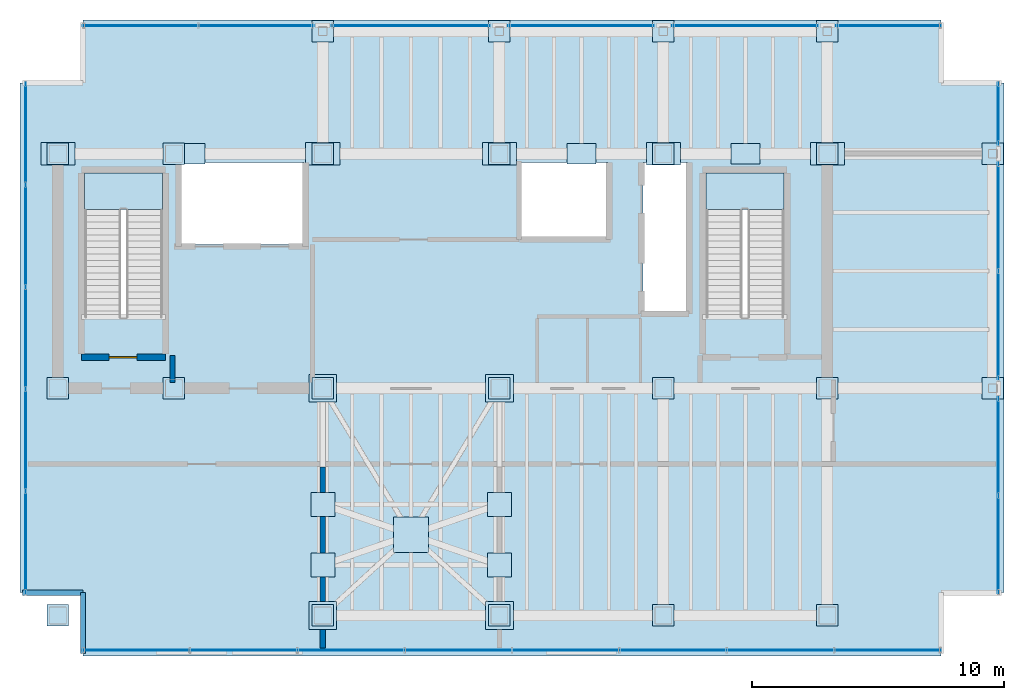
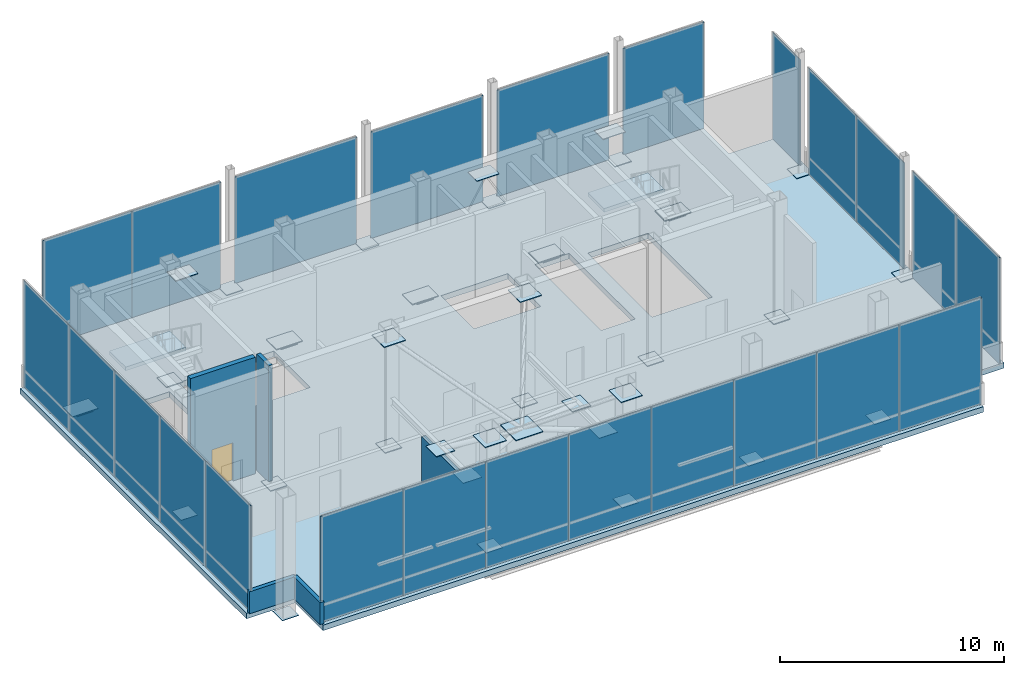
# One storey, part 16 of 19: 64 plates, 5 walls, 3 slabs, 1 door, 6 openings, 12 elements without a shape of their own.
"""IFC4 building model written with IfcOpenShell, lengths in metres."""

from ifc_helpers import new_model, si_unit, direction, frame, frame_2d, origin, origin_2d, place, context, subcontext, project, spatial, polyline, rectangle, outline, extrude, material, layer, layer_set, type_object, element, fill, aggregate, save


model = new_model("IFC4")

# Units and contexts
model_context = context("Model", 3, precision=1e-05, world=origin(), true_north=direction((0.0, 1.0)))
body_context = subcontext(model_context, "Body", "Model", "MODEL_VIEW")
ifc_project = project(units=[si_unit("LENGTHUNIT", "METRE"), si_unit("AREAUNIT", "SQUARE_METRE"), si_unit("VOLUMEUNIT", "CUBIC_METRE"), si_unit("PLANEANGLEUNIT", "RADIAN"), si_unit("MASSUNIT", "GRAM", prefix="KILO")], contexts=[model_context])

# Site, building, storey
site_placement = place(None, origin())
site = spatial("IfcSite", under=ifc_project, at=site_placement, CompositionType="ELEMENT")
building_placement = place(site_placement, origin())
building = spatial("IfcBuilding", under=site, at=building_placement, Name="Noeulbin Bourse Tower", CompositionType="ELEMENT")
storey_placement = place(building_placement, frame((0.0, 0.0, 306.0)))
storey = spatial("IfcBuildingStorey", under=building, at=storey_placement, Name="L76", CompositionType="ELEMENT", Elevation=306.0)

# Curtain wall, plates
ifc_material_1 = material(Name="Translucent Ceramic-Fritted Glass", Category="glass")
curtain_wall_type = type_object("IfcCurtainWallType", Name="CW-SYS-5", PredefinedType="NOTDEFINED", material=ifc_material_1)
curtain_wall_1_placement = place(storey_placement, origin())
curtain_wall_1 = element("IfcCurtainWall", 1, at=curtain_wall_1_placement, inside=storey, type_object=curtain_wall_type, Name="Unitised Curtain Wall CW-L76-S1", PredefinedType="NOTDEFINED")
ifc_layer_1 = layer(ifc_material_1, 0.035888671875)
ifc_layer_set_1 = layer_set([ifc_layer_1], Name="Translucent Ceramic-Fritted Glass")
plate_type_1 = type_object("IfcPlateType", Name="CW-SYS-5-PNL", PredefinedType="CURTAIN_PANEL", material=ifc_layer_set_1)
plate_1_placement = place(storey_placement, frame((16.607421875, 18.6201171875, 0.0), z_axis=(0.0, 0.0, 1.0), x_axis=(1.0, 0.0, 0.0)))
plate_1 = element("IfcPlate", 2, at=plate_1_placement, type_object=plate_type_1, Name="Glazed Curtain Panel CW-L76-S1-P00", PredefinedType="CURTAIN_PANEL", context=body_context, shape_type="SweptSolid", body=[
    extrude(rectangle(XDim=4.2548828125, YDim=0.035888671875, at=origin_2d()), origin(), (0.0, 0.0, 1.0), 5.800048828125),
])
plate_2_placement = place(storey_placement, frame((20.862548828125, 18.6201171875, 0.0), z_axis=(0.0, 0.0, 1.0), x_axis=(1.0, 0.0, 0.0)))
plate_2 = element("IfcPlate", 3, at=plate_2_placement, type_object=plate_type_1, Name="Glazed Curtain Panel CW-L76-S1-P01", PredefinedType="CURTAIN_PANEL", context=body_context, shape_type="SweptSolid", body=[
    extrude(rectangle(XDim=4.2548828125, YDim=0.035888671875, at=origin_2d()), origin(), (0.0, 0.0, 1.0), 5.800048828125),
])
plate_3_placement = place(storey_placement, frame((25.117431640625, 18.6201171875, 0.0), z_axis=(0.0, 0.0, 1.0), x_axis=(1.0, 0.0, 0.0)))
plate_3 = element("IfcPlate", 4, at=plate_3_placement, type_object=plate_type_1, Name="Glazed Curtain Panel CW-L76-S1-P02", PredefinedType="CURTAIN_PANEL", context=body_context, shape_type="SweptSolid", body=[
    extrude(rectangle(XDim=4.2548828125, YDim=0.035888671875, at=origin_2d()), origin(), (0.0, 0.0, 1.0), 5.800048828125),
])
plate_4_placement = place(storey_placement, frame((29.37255859375, 18.6201171875, 0.0), z_axis=(0.0, 0.0, 1.0), x_axis=(1.0, 0.0, 0.0)))
plate_4 = element("IfcPlate", 5, at=plate_4_placement, type_object=plate_type_1, Name="Glazed Curtain Panel CW-L76-S1-P03", PredefinedType="CURTAIN_PANEL", context=body_context, shape_type="SweptSolid", body=[
    extrude(rectangle(XDim=4.2548828125, YDim=0.035888671875, at=origin_2d()), origin(), (0.0, 0.0, 1.0), 5.800048828125),
])
plate_5_placement = place(storey_placement, frame((33.62744140625, 18.6201171875, 0.0), z_axis=(0.0, 0.0, 1.0), x_axis=(1.0, 0.0, 0.0)))
plate_5 = element("IfcPlate", 6, at=plate_5_placement, type_object=plate_type_1, Name="Glazed Curtain Panel CW-L76-S1-P04", PredefinedType="CURTAIN_PANEL", context=body_context, shape_type="SweptSolid", body=[
    extrude(rectangle(XDim=4.2548828125, YDim=0.035888671875, at=origin_2d()), origin(), (0.0, 0.0, 1.0), 5.800048828125),
])
plate_6_placement = place(storey_placement, frame((37.882568359375, 18.6201171875, 0.0), z_axis=(0.0, 0.0, 1.0), x_axis=(1.0, 0.0, 0.0)))
plate_6 = element("IfcPlate", 7, at=plate_6_placement, type_object=plate_type_1, Name="Glazed Curtain Panel CW-L76-S1-P05", PredefinedType="CURTAIN_PANEL", context=body_context, shape_type="SweptSolid", body=[
    extrude(rectangle(XDim=4.2548828125, YDim=0.035888671875, at=origin_2d()), origin(), (0.0, 0.0, 1.0), 5.800048828125),
])
plate_7_placement = place(storey_placement, frame((42.137451171875, 18.6201171875, 0.0), z_axis=(0.0, 0.0, 1.0), x_axis=(1.0, 0.0, 0.0)))
plate_7 = element("IfcPlate", 8, at=plate_7_placement, type_object=plate_type_1, Name="Glazed Curtain Panel CW-L76-S1-P06", PredefinedType="CURTAIN_PANEL", context=body_context, shape_type="SweptSolid", body=[
    extrude(rectangle(XDim=4.2548828125, YDim=0.035888671875, at=origin_2d()), origin(), (0.0, 0.0, 1.0), 5.800048828125),
])
plate_8_placement = place(storey_placement, frame((46.392578125, 18.6201171875, 0.0), z_axis=(0.0, 0.0, 1.0), x_axis=(1.0, 0.0, 0.0)))
plate_8 = element("IfcPlate", 9, at=plate_8_placement, type_object=plate_type_1, Name="Glazed Curtain Panel CW-L76-S1-P07", PredefinedType="CURTAIN_PANEL", context=body_context, shape_type="SweptSolid", body=[
    extrude(rectangle(XDim=4.2548828125, YDim=0.035888671875, at=origin_2d()), origin(), (0.0, 0.0, 1.0), 5.800048828125),
])
aggregate(curtain_wall_1, [plate_1, plate_2, plate_3, plate_4, plate_5, plate_6, plate_7, plate_8])

curtain_wall_2_placement = place(storey_placement, origin())
curtain_wall_2 = element("IfcCurtainWall", 10, at=curtain_wall_2_placement, inside=storey, type_object=curtain_wall_type, Name="Unitised Curtain Wall CW-L76-N-S1", PredefinedType="NOTDEFINED")
plate_9_placement = place(storey_placement, frame((16.77001953125, 43.3798828125, 0.0), z_axis=(0.0, 0.0, 1.0), x_axis=(1.0, 0.0, 0.0)))
plate_9 = element("IfcPlate", 11, at=plate_9_placement, type_object=plate_type_1, Name="Glazed Curtain Panel CW-L76-N-S1-P00", PredefinedType="CURTAIN_PANEL", context=body_context, shape_type="SweptSolid", body=[
    extrude(rectangle(XDim=4.580078125, YDim=0.035888671875, at=origin_2d()), origin(), (0.0, 0.0, 1.0), 5.800048828125),
])
plate_10_placement = place(storey_placement, frame((21.35009765625, 43.3798828125, 0.0), z_axis=(0.0, 0.0, 1.0), x_axis=(1.0, 0.0, 0.0)))
plate_10 = element("IfcPlate", 12, at=plate_10_placement, type_object=plate_type_1, Name="Glazed Curtain Panel CW-L76-N-S1-P01", PredefinedType="CURTAIN_PANEL", context=body_context, shape_type="SweptSolid", body=[
    extrude(rectangle(XDim=4.580078125, YDim=0.035888671875, at=origin_2d()), origin(), (0.0, 0.0, 1.0), 5.800048828125),
])
aggregate(curtain_wall_2, [plate_9, plate_10])

# Curtain wall, plate
curtain_wall_3_placement = place(storey_placement, origin())
curtain_wall_3 = element("IfcCurtainWall", 13, at=curtain_wall_3_placement, inside=storey, type_object=curtain_wall_type, Name="Unitised Curtain Wall CW-L76-N-S2", PredefinedType="NOTDEFINED")
plate_11_placement = place(storey_placement, frame((27.5, 43.3798828125, 0.0), z_axis=(0.0, 0.0, 1.0), x_axis=(1.0, 0.0, 0.0)))
plate_11 = element("IfcPlate", 14, at=plate_11_placement, type_object=plate_type_1, Name="Glazed Curtain Panel CW-L76-N-S2-P00", PredefinedType="CURTAIN_PANEL", context=body_context, shape_type="SweptSolid", body=[
    extrude(rectangle(XDim=6.280029296875, YDim=0.035888671875, at=origin_2d()), origin(), (0.0, 0.0, 1.0), 5.800048828125),
])
aggregate(curtain_wall_3, [plate_11])

curtain_wall_4_placement = place(storey_placement, origin())
curtain_wall_4 = element("IfcCurtainWall", 15, at=curtain_wall_4_placement, inside=storey, type_object=curtain_wall_type, Name="Unitised Curtain Wall CW-L76-N-S3", PredefinedType="NOTDEFINED")
plate_12_placement = place(storey_placement, frame((34.25, 43.3798828125, 0.0), z_axis=(0.0, 0.0, 1.0), x_axis=(1.0, 0.0, 0.0)))
plate_12 = element("IfcPlate", 16, at=plate_12_placement, type_object=plate_type_1, Name="Glazed Curtain Panel CW-L76-N-S3-P00", PredefinedType="CURTAIN_PANEL", context=body_context, shape_type="SweptSolid", body=[
    extrude(rectangle(XDim=5.780029296875, YDim=0.035888671875, at=origin_2d()), origin(), (0.0, 0.0, 1.0), 5.800048828125),
])
aggregate(curtain_wall_4, [plate_12])

curtain_wall_5_placement = place(storey_placement, origin())
curtain_wall_5 = element("IfcCurtainWall", 17, at=curtain_wall_5_placement, inside=storey, type_object=curtain_wall_type, Name="Unitised Curtain Wall CW-L76-N-S4", PredefinedType="NOTDEFINED")
plate_13_placement = place(storey_placement, frame((40.75, 43.3798828125, 0.0), z_axis=(0.0, 0.0, 1.0), x_axis=(1.0, 0.0, 0.0)))
plate_13 = element("IfcPlate", 18, at=plate_13_placement, type_object=plate_type_1, Name="Glazed Curtain Panel CW-L76-N-S4-P00", PredefinedType="CURTAIN_PANEL", context=body_context, shape_type="SweptSolid", body=[
    extrude(rectangle(XDim=5.780029296875, YDim=0.035888671875, at=origin_2d()), origin(), (0.0, 0.0, 1.0), 5.800048828125),
])
aggregate(curtain_wall_5, [plate_13])

curtain_wall_6_placement = place(storey_placement, origin())
curtain_wall_6 = element("IfcCurtainWall", 19, at=curtain_wall_6_placement, inside=storey, type_object=curtain_wall_type, Name="Unitised Curtain Wall CW-L76-N-S5", PredefinedType="NOTDEFINED")
plate_14_placement = place(storey_placement, frame((46.43994140625, 43.3798828125, 0.0), z_axis=(0.0, 0.0, 1.0), x_axis=(1.0, 0.0, 0.0)))
plate_14 = element("IfcPlate", 20, at=plate_14_placement, type_object=plate_type_1, Name="Glazed Curtain Panel CW-L76-N-S5-P00", PredefinedType="CURTAIN_PANEL", context=body_context, shape_type="SweptSolid", body=[
    extrude(rectangle(XDim=4.159912109375, YDim=0.035888671875, at=origin_2d()), origin(), (0.0, 0.0, 1.0), 5.800048828125),
])
aggregate(curtain_wall_6, [plate_14])

# Curtain wall, plates
curtain_wall_7_placement = place(storey_placement, origin())
curtain_wall_7 = element("IfcCurtainWall", 21, at=curtain_wall_7_placement, inside=storey, type_object=curtain_wall_type, Name="Unitised Curtain Wall CW-L76-W", PredefinedType="NOTDEFINED")
plate_15_placement = place(storey_placement, frame((12.219970703125, 22.904052734375, 0.0), z_axis=(0.0, 0.0, 1.0), x_axis=(0.0, 1.0, 0.0)))
plate_15 = element("IfcPlate", 22, at=plate_15_placement, type_object=plate_type_1, Name="Glazed Curtain Panel CW-L76-W-P00", PredefinedType="CURTAIN_PANEL", context=body_context, shape_type="SweptSolid", body=[
    extrude(rectangle(XDim=4.048095703125, YDim=0.035888671875, at=origin_2d()), origin(), (0.0, 0.0, 1.0), 5.800048828125),
])
plate_16_placement = place(storey_placement, frame((12.219970703125, 26.951904296875, 0.0), z_axis=(0.0, 0.0, 1.0), x_axis=(0.0, 1.0, 0.0)))
plate_16 = element("IfcPlate", 23, at=plate_16_placement, type_object=plate_type_1, Name="Glazed Curtain Panel CW-L76-W-P01", PredefinedType="CURTAIN_PANEL", context=body_context, shape_type="SweptSolid", body=[
    extrude(rectangle(XDim=4.048095703125, YDim=0.035888671875, at=origin_2d()), origin(), (0.0, 0.0, 1.0), 5.800048828125),
])
plate_17_placement = place(storey_placement, frame((12.219970703125, 31.0, 0.0), z_axis=(0.0, 0.0, 1.0), x_axis=(0.0, 1.0, 0.0)))
plate_17 = element("IfcPlate", 24, at=plate_17_placement, type_object=plate_type_1, Name="Glazed Curtain Panel CW-L76-W-P02", PredefinedType="CURTAIN_PANEL", context=body_context, shape_type="SweptSolid", body=[
    extrude(rectangle(XDim=4.048095703125, YDim=0.035888671875, at=origin_2d()), origin(), (0.0, 0.0, 1.0), 5.800048828125),
])
plate_18_placement = place(storey_placement, frame((12.219970703125, 35.048095703125, 0.0), z_axis=(0.0, 0.0, 1.0), x_axis=(0.0, 1.0, 0.0)))
plate_18 = element("IfcPlate", 25, at=plate_18_placement, type_object=plate_type_1, Name="Glazed Curtain Panel CW-L76-W-P03", PredefinedType="CURTAIN_PANEL", context=body_context, shape_type="SweptSolid", body=[
    extrude(rectangle(XDim=4.048095703125, YDim=0.035888671875, at=origin_2d()), origin(), (0.0, 0.0, 1.0), 5.800048828125),
])
plate_19_placement = place(storey_placement, frame((12.219970703125, 39.095947265625, 0.0), z_axis=(0.0, 0.0, 1.0), x_axis=(0.0, 1.0, 0.0)))
plate_19 = element("IfcPlate", 26, at=plate_19_placement, type_object=plate_type_1, Name="Glazed Curtain Panel CW-L76-W-P04", PredefinedType="CURTAIN_PANEL", context=body_context, shape_type="SweptSolid", body=[
    extrude(rectangle(XDim=4.048095703125, YDim=0.035888671875, at=origin_2d()), origin(), (0.0, 0.0, 1.0), 5.800048828125),
])
aggregate(curtain_wall_7, [plate_15, plate_16, plate_17, plate_18, plate_19])

curtain_wall_8_placement = place(storey_placement, origin())
curtain_wall_8 = element("IfcCurtainWall", 27, at=curtain_wall_8_placement, inside=storey, type_object=curtain_wall_type, Name="Unitised Curtain Wall CW-L76-E-S1", PredefinedType="NOTDEFINED")
plate_20_placement = place(storey_placement, frame((50.780029296875, 22.820068359375, 0.0), z_axis=(0.0, 0.0, 1.0), x_axis=(0.0, 1.0, 0.0)))
plate_20 = element("IfcPlate", 28, at=plate_20_placement, type_object=plate_type_1, Name="Glazed Curtain Panel CW-L76-E-S1-P00", PredefinedType="CURTAIN_PANEL", context=body_context, shape_type="SweptSolid", body=[
    extrude(rectangle(XDim=3.8798828125, YDim=0.035888671875, at=origin_2d()), origin(), (0.0, 0.0, 1.0), 5.800048828125),
])
plate_21_placement = place(storey_placement, frame((50.780029296875, 26.699951171875, 0.0), z_axis=(0.0, 0.0, 1.0), x_axis=(0.0, 1.0, 0.0)))
plate_21 = element("IfcPlate", 29, at=plate_21_placement, type_object=plate_type_1, Name="Glazed Curtain Panel CW-L76-E-S1-P01", PredefinedType="CURTAIN_PANEL", context=body_context, shape_type="SweptSolid", body=[
    extrude(rectangle(XDim=3.8798828125, YDim=0.035888671875, at=origin_2d()), origin(), (0.0, 0.0, 1.0), 5.800048828125),
])
aggregate(curtain_wall_8, [plate_20, plate_21])

curtain_wall_9_placement = place(storey_placement, origin())
curtain_wall_9 = element("IfcCurtainWall", 30, at=curtain_wall_9_placement, inside=storey, type_object=curtain_wall_type, Name="Unitised Curtain Wall CW-L76-E-S2", PredefinedType="NOTDEFINED")
plate_22_placement = place(storey_placement, frame((50.780029296875, 31.5048828125, 0.0), z_axis=(0.0, 0.0, 1.0), x_axis=(0.0, 1.0, 0.0)))
plate_22 = element("IfcPlate", 31, at=plate_22_placement, type_object=plate_type_1, Name="Glazed Curtain Panel CW-L76-E-S2-P00", PredefinedType="CURTAIN_PANEL", context=body_context, shape_type="SweptSolid", body=[
    extrude(rectangle(XDim=4.2900390625, YDim=0.035888671875, at=origin_2d()), origin(), (0.0, 0.0, 1.0), 5.800048828125),
])
plate_23_placement = place(storey_placement, frame((50.780029296875, 35.794921875, 0.0), z_axis=(0.0, 0.0, 1.0), x_axis=(0.0, 1.0, 0.0)))
plate_23 = element("IfcPlate", 32, at=plate_23_placement, type_object=plate_type_1, Name="Glazed Curtain Panel CW-L76-E-S2-P01", PredefinedType="CURTAIN_PANEL", context=body_context, shape_type="SweptSolid", body=[
    extrude(rectangle(XDim=4.2900390625, YDim=0.035888671875, at=origin_2d()), origin(), (0.0, 0.0, 1.0), 5.800048828125),
])
aggregate(curtain_wall_9, [plate_22, plate_23])

# Curtain wall, plate
curtain_wall_10_placement = place(storey_placement, origin())
curtain_wall_10 = element("IfcCurtainWall", 33, at=curtain_wall_10_placement, inside=storey, type_object=curtain_wall_type, Name="Unitised Curtain Wall CW-L76-E-S3", PredefinedType="NOTDEFINED")
plate_24_placement = place(storey_placement, frame((50.780029296875, 39.889892578125, 0.0), z_axis=(0.0, 0.0, 1.0), x_axis=(0.0, 1.0, 0.0)))
plate_24 = element("IfcPlate", 34, at=plate_24_placement, type_object=plate_type_1, Name="Glazed Curtain Panel CW-L76-E-S3-P00", PredefinedType="CURTAIN_PANEL", context=body_context, shape_type="SweptSolid", body=[
    extrude(rectangle(XDim=2.4599609375, YDim=0.035888671875, at=origin_2d()), origin(), (0.0, 0.0, 1.0), 5.800048828125),
])
aggregate(curtain_wall_10, [plate_24])

# Plates
ifc_material_2 = material(Name="Steel S355", Category="steel")
ifc_layer_2 = layer(ifc_material_2, 0.030029296875)
ifc_layer_set_2 = layer_set([ifc_layer_2], Name="Steel S355")
plate_type_2 = type_object("IfcPlateType", Name="PLT-BN1", PredefinedType="USERDEFINED", material=ifc_layer_set_2)
for number, where, z_axis, x_axis, name in (
    (35, (13.5, 29.0, 0.0048828125), (0.0, 0.0, 1.0), (1.0, 0.0, 0.0), "Mega-Column Splice Plate BN1-L76-01"),
    (36, (13.5, 38.300048828125, 0.0048828125), (0.0, 0.0, 1.0), (1.0, 0.0, 0.0), "Mega-Column Splice Plate BN1-L76-02"),
    (37, (18.10009765625, 29.0, 0.0048828125), (0.0, 0.0, 1.0), (1.0, 0.0, 0.0), "Mega-Column Splice Plate BN1-L76-03"),
    (38, (18.10009765625, 38.300048828125, 0.0048828125), (0.0, 0.0, 1.0), (1.0, 0.0, 0.0), "Mega-Column Splice Plate BN1-L76-04"),
    (39, (24.0, 29.0, 0.0048828125), (0.0, 0.0, 1.0), (1.0, 0.0, 0.0), "Mega-Column Splice Plate BN1-L76-05"),
    (40, (24.0, 38.300048828125, 0.0048828125), (0.0, 0.0, 1.0), (1.0, 0.0, 0.0), "Mega-Column Splice Plate BN1-L76-06"),
    (41, (31.0, 29.0, 0.0048828125), (0.0, 0.0, 1.0), (1.0, 0.0, 0.0), "Mega-Column Splice Plate BN1-L76-07"),
    (42, (31.0, 38.300048828125, 0.0048828125), (0.0, 0.0, 1.0), (1.0, 0.0, 0.0), "Mega-Column Splice Plate BN1-L76-08"),
    (43, (37.5, 29.0, 0.0048828125), (0.0, 0.0, 1.0), (1.0, 0.0, 0.0), "Mega-Column Splice Plate BN1-L76-09"),
    (44, (37.5, 38.300048828125, 0.0048828125), (0.0, 0.0, 1.0), (1.0, 0.0, 0.0), "Mega-Column Splice Plate BN1-L76-10"),
    (45, (44.0, 29.0, 0.0048828125), (0.0, 0.0, 1.0), (1.0, 0.0, 0.0), "Mega-Column Splice Plate BN1-L76-11"),
    (46, (44.0, 38.300048828125, 0.0048828125), (0.0, 0.0, 1.0), (1.0, 0.0, 0.0), "Mega-Column Splice Plate BN1-L76-12"),
    (47, (13.5, 20.0, 0.0048828125), (0.0, 0.0, 1.0), (1.0, 0.0, 0.0), "Mega-Column Splice Plate BN1-L76-13"),
    (48, (24.0, 20.0, 0.0048828125), (0.0, 0.0, 1.0), (1.0, 0.0, 0.0), "Mega-Column Splice Plate BN1-L76-14"),
    (49, (31.0, 20.0, 0.0048828125), (0.0, 0.0, 1.0), (1.0, 0.0, 0.0), "Mega-Column Splice Plate BN1-L76-15"),
    (50, (37.5, 20.0, 0.0048828125), (0.0, 0.0, 1.0), (1.0, 0.0, 0.0), "Mega-Column Splice Plate BN1-L76-16"),
    (51, (44.0, 20.0, 0.0048828125), (0.0, 0.0, 1.0), (1.0, 0.0, 0.0), "Mega-Column Splice Plate BN1-L76-17"),
    (52, (24.0, 43.14990234375, 0.0048828125), (0.0, 0.0, 1.0), (1.0, 0.0, 0.0), "Perimeter Column Splice Plate BN1-L76-01"),
    (53, (31.0, 43.14990234375, 0.0048828125), (0.0, 0.0, 1.0), (1.0, 0.0, 0.0), "Perimeter Column Splice Plate BN1-L76-02"),
    (54, (37.5, 43.14990234375, 0.0048828125), (0.0, 0.0, 1.0), (1.0, 0.0, 0.0), "Perimeter Column Splice Plate BN1-L76-03"),
    (55, (44.0, 43.14990234375, 0.0048828125), (0.0, 0.0, 1.0), (1.0, 0.0, 0.0), "Perimeter Column Splice Plate BN1-L76-04"),
    (56, (50.550048828125, 29.0, 0.0048828125), (0.0, 0.0, 1.0), (1.0, 0.0, 0.0), "Perimeter Column Splice Plate BN1-L76-05"),
    (57, (50.550048828125, 38.300048828125, 0.0048828125), (0.0, 0.0, 1.0), (1.0, 0.0, 0.0), "Perimeter Column Splice Plate BN1-L76-06"),
):
    element("IfcPlate", number, at=place(storey_placement, frame(where, z_axis=z_axis, x_axis=x_axis)), inside=storey, type_object=plate_type_2, Name=name, ObjectType="SPLICE PLATE", PredefinedType="USERDEFINED", context=body_context, shape_type="SweptSolid", body=[
        extrude(rectangle(XDim=0.85009765625, YDim=0.85009765625, at=origin_2d()), origin(), (0.0, 0.0, 1.0), 0.030029296875),
    ])
ifc_material_3 = material(Name="Steel S460", Category="steel")
ifc_layer_3 = layer(ifc_material_3, 0.035888671875)
ifc_layer_set_3 = layer_set([ifc_layer_3], Name="Steel S460")
plate_type_3 = type_object("IfcPlateType", Name="PLT-KN2", PredefinedType="USERDEFINED", material=ifc_layer_set_3)
for number, where, z_axis, x_axis, name in (
    (58, (24.0, 20.0, 5.8720703125), (0.0, 0.0, 1.0), (1.0, 0.0, 0.0), "TMD Hanger Upper Gusset Plate KN2-TH1"),
    (59, (31.0, 20.0, 5.8720703125), (0.0, 0.0, 1.0), (1.0, 0.0, 0.0), "TMD Hanger Upper Gusset Plate KN2-TH2"),
    (60, (24.0, 29.0, 5.8720703125), (0.0, 0.0, 1.0), (1.0, 0.0, 0.0), "TMD Hanger Upper Gusset Plate KN2-TH3"),
    (61, (31.0, 29.0, 5.8720703125), (0.0, 0.0, 1.0), (1.0, 0.0, 0.0), "TMD Hanger Upper Gusset Plate KN2-TH4"),
):
    element("IfcPlate", number, at=place(storey_placement, frame(where, z_axis=z_axis, x_axis=x_axis)), inside=storey, type_object=plate_type_3, Name=name, ObjectType="GUSSET PLATE", PredefinedType="USERDEFINED", context=body_context, shape_type="SweptSolid", body=[
        extrude(rectangle(XDim=1.10009765625, YDim=1.10009765625, at=origin_2d()), origin(), (0.0, 0.0, 1.0), 0.035888671875),
    ])
ifc_layer_4 = layer(ifc_material_2, 0.031982421875)
ifc_layer_set_4 = layer_set([ifc_layer_4], Name="Steel S355")
plate_type_4 = type_object("IfcPlateType", Name="PLT-KN3", PredefinedType="USERDEFINED", material=ifc_layer_set_4)
for number, where, z_axis, x_axis, name in (
    (62, (24.0, 22.0, 2.6337890625), (0.0, 0.0, 1.0), (1.0, 0.0, 0.0), "TMD Snubber Ring End Plate KN3-TS1"),
    (63, (31.0, 22.0, 2.6337890625), (0.0, 0.0, 1.0), (1.0, 0.0, 0.0), "TMD Snubber Ring End Plate KN3-TS2"),
    (64, (24.0, 24.39990234375, 2.6337890625), (0.0, 0.0, 1.0), (1.0, 0.0, 0.0), "TMD Snubber Ring End Plate KN3-TS3"),
    (65, (31.0, 24.39990234375, 2.6337890625), (0.0, 0.0, 1.0), (1.0, 0.0, 0.0), "TMD Snubber Ring End Plate KN3-TS4"),
):
    element("IfcPlate", number, at=place(storey_placement, frame(where, z_axis=z_axis, x_axis=x_axis)), inside=storey, type_object=plate_type_4, Name=name, ObjectType="END PLATE", PredefinedType="USERDEFINED", context=body_context, shape_type="SweptSolid", body=[
        extrude(rectangle(XDim=0.949951171875, YDim=0.949951171875, at=origin_2d()), origin(), (0.0, 0.0, 1.0), 0.031982421875),
    ])
ifc_layer_5 = layer(ifc_material_3, 0.0400390625)
ifc_layer_set_5 = layer_set([ifc_layer_5], Name="Steel S460")
plate_type_5 = type_object("IfcPlateType", Name="PLT-ON1", PredefinedType="USERDEFINED", material=ifc_layer_set_5)
for number, where, z_axis, x_axis, name in (
    (66, (13.5, 38.300048828125, 0.090087890625), (0.0, 0.0, 1.0), (1.0, 0.0, 0.0), "Outrigger West Gusset Plate ON1-L76-1A"),
    (67, (24.0, 38.300048828125, 0.090087890625), (0.0, 0.0, 1.0), (1.0, 0.0, 0.0), "Outrigger East Gusset Plate ON1-L76-1B"),
    (68, (31.0, 38.300048828125, 0.090087890625), (0.0, 0.0, 1.0), (1.0, 0.0, 0.0), "Outrigger West Gusset Plate ON1-L76-2A"),
    (69, (37.5, 38.300048828125, 0.090087890625), (0.0, 0.0, 1.0), (1.0, 0.0, 0.0), "Outrigger East Gusset Plate ON1-L76-2B"),
    (70, (44.0, 38.300048828125, 0.090087890625), (0.0, 0.0, 1.0), (1.0, 0.0, 0.0), "Outrigger East Gusset Plate ON1-L76-3B"),
):
    element("IfcPlate", number, at=place(storey_placement, frame(where, z_axis=z_axis, x_axis=x_axis)), inside=storey, type_object=plate_type_5, Name=name, ObjectType="GUSSET PLATE", PredefinedType="USERDEFINED", context=body_context, shape_type="SweptSolid", body=[
        extrude(rectangle(XDim=1.35009765625, YDim=0.89990234375, at=origin_2d()), origin(), (0.0, 0.0, 1.0), 0.0400390625),
    ])
ifc_layer_6 = layer(ifc_material_3, 0.035888671875)
ifc_layer_set_6 = layer_set([ifc_layer_6], Name="Steel S460")
plate_type_6 = type_object("IfcPlateType", Name="PLT-ON2", PredefinedType="USERDEFINED", material=ifc_layer_set_6)
for number, where, z_axis, x_axis, name in (
    (71, (18.75, 38.300048828125, 5.60205078125), (0.0, 0.0, 1.0), (1.0, 0.0, 0.0), "Outrigger Apex Gusset Plate ON2-L76-1"),
    (72, (34.25, 38.300048828125, 5.60205078125), (0.0, 0.0, 1.0), (1.0, 0.0, 0.0), "Outrigger Apex Gusset Plate ON2-L76-2"),
    (73, (40.75, 38.300048828125, 5.60205078125), (0.0, 0.0, 1.0), (1.0, 0.0, 0.0), "Outrigger Apex Gusset Plate ON2-L76-3"),
):
    element("IfcPlate", number, at=place(storey_placement, frame(where, z_axis=z_axis, x_axis=x_axis)), inside=storey, type_object=plate_type_6, Name=name, ObjectType="GUSSET PLATE", PredefinedType="USERDEFINED", context=body_context, shape_type="SweptSolid", body=[
        extrude(rectangle(XDim=1.14990234375, YDim=0.800048828125, at=origin_2d()), origin(), (0.0, 0.0, 1.0), 0.035888671875),
    ])
ifc_layer_7 = layer(ifc_material_3, 0.0400390625)
ifc_layer_set_7 = layer_set([ifc_layer_7], Name="Steel S460")
plate_type_7 = type_object("IfcPlateType", Name="PLT-TN1", PredefinedType="USERDEFINED", material=ifc_layer_set_7)
plate_25_placement = place(storey_placement, frame((27.5, 23.199951171875, 3.22998046875), z_axis=(0.0, 0.0, 1.0), x_axis=(1.0, 0.0, 0.0)))
element("IfcPlate", 74, at=plate_25_placement, inside=storey, type_object=plate_type_7, Name="Tuned Mass Damper Pendulum Hub Plate TN1-TMD", ObjectType="BASE PLATE", PredefinedType="USERDEFINED", context=body_context, shape_type="SweptSolid", body=[
    extrude(rectangle(XDim=1.39990234375, YDim=1.39990234375, at=origin_2d()), origin(), (0.0, 0.0, 1.0), 0.0400390625),
])

# Stair, slab
ifc_material_4 = material(Name="Concrete C40/50", Category="concrete")
stair_type = type_object("IfcStairType", Name="STR-CORE-1560", PredefinedType="HALF_TURN_STAIR", material=ifc_material_4)
stair_1_placement = place(storey_placement, origin())
stair_1 = element("IfcStair", 75, at=stair_1_placement, inside=storey, type_object=stair_type, Name="L76 ST-1", PredefinedType="HALF_TURN_STAIR")
ifc_layer_8 = layer(ifc_material_4, 0.199951171875)
ifc_layer_set_8 = layer_set([ifc_layer_8], Name="Concrete C40/50")
slab_type_1 = type_object("IfcSlabType", Name="SLB-LND-200", PredefinedType="LANDING", material=ifc_layer_set_8)
slab_1_placement = place(storey_placement, frame((0.0, 0.0, 3.10009765625)))
slab_1 = element("IfcSlab", 76, at=slab_1_placement, type_object=slab_type_1, Name="ST-1 landing 1", PredefinedType="LANDING", context=body_context, shape_type="SweptSolid", body=[
    extrude(outline(polyline([(17.64990234375, 36.093994140625), (17.64990234375, 37.5439453125), (14.550048828125, 37.5439453125), (14.550048828125, 36.093994140625), (17.64990234375, 36.093994140625)])), origin(), (0.0, 0.0, 1.0), 0.199951171875),
])
aggregate(stair_1, [slab_1])

stair_2_placement = place(storey_placement, origin())
stair_2 = element("IfcStair", 77, at=stair_2_placement, inside=storey, type_object=stair_type, Name="L76 ST-2", PredefinedType="HALF_TURN_STAIR")
slab_2_placement = place(storey_placement, frame((0.0, 0.0, 3.10009765625)))
slab_2 = element("IfcSlab", 78, at=slab_2_placement, type_object=slab_type_1, Name="ST-2 landing 1", PredefinedType="LANDING", context=body_context, shape_type="SweptSolid", body=[
    extrude(outline(polyline([(42.280029296875, 36.093994140625), (42.280029296875, 37.5439453125), (39.179931640625, 37.5439453125), (39.179931640625, 36.093994140625), (42.280029296875, 36.093994140625)])), origin(), (0.0, 0.0, 1.0), 0.199951171875),
])
aggregate(stair_2, [slab_2])

# Slab, openings
ifc_material_5 = material(Name="Concrete C50/60", Category="concrete")
ifc_layer_9 = layer(ifc_material_5, 0.300048828125)
ifc_layer_set_9 = layer_set([ifc_layer_9], Name="Concrete C50/60")
slab_type_2 = type_object("IfcSlabType", Name="SLB-OUT-300", PredefinedType="FLOOR", material=ifc_layer_set_9)
slab_3_placement = place(storey_placement, frame((0.0, 0.0, -0.300048828125)))
slab_3 = element("IfcSlab", 79, at=slab_3_placement, inside=storey, type_object=slab_type_2, Name="Tower Structural Floor Slab L76", PredefinedType="FLOOR", context=body_context, shape_type="SweptSolid", body=[
    extrude(outline(polyline([(14.5, 18.39990234375), (48.5, 18.39990234375), (48.5, 20.89990234375), (51.0, 20.89990234375), (51.0, 41.10009765625), (48.5, 41.10009765625), (48.5, 43.60009765625), (14.5, 43.60009765625), (14.5, 41.10009765625), (12.0, 41.10009765625), (12.0, 20.89990234375), (14.5, 20.89990234375), (14.5, 18.39990234375)]), holes=[polyline([(17.64990234375, 31.81005859375), (17.64990234375, 37.5439453125), (14.550048828125, 37.5439453125), (14.550048828125, 31.81005859375), (17.64990234375, 31.81005859375)]), polyline([(42.280029296875, 31.81005859375), (42.280029296875, 37.5439453125), (39.179931640625, 37.5439453125), (39.179931640625, 31.81005859375), (42.280029296875, 31.81005859375)]), polyline([(18.35009765625, 34.699951171875), (23.25, 34.699951171875), (23.25, 37.949951171875), (18.35009765625, 37.949951171875), (18.35009765625, 34.699951171875)]), polyline([(36.699951171875, 32.050048828125), (38.449951171875, 32.050048828125), (38.449951171875, 37.949951171875), (36.699951171875, 37.949951171875), (36.699951171875, 32.050048828125)]), polyline([(31.85009765625, 35.0), (35.300048828125, 35.0), (35.300048828125, 37.949951171875), (31.85009765625, 37.949951171875), (31.85009765625, 35.0)])]), origin(), (0.0, 0.0, 1.0), 0.300048828125),
])
opening_1_placement = place(slab_3_placement, frame((0.0, 0.0, -0.010009765625)))
element("IfcOpeningElement", 80, at=opening_1_placement, cuts=slab_3, Name="Slab Shaft Opening SLB-L76-TWR-1", PredefinedType="OPENING", context=body_context, shape_type="SweptSolid", body=[
    extrude(outline(polyline([(17.64990234375, 31.81005859375), (17.64990234375, 37.5439453125), (14.550048828125, 37.5439453125), (14.550048828125, 31.81005859375), (17.64990234375, 31.81005859375)])), origin(), (0.0, 0.0, 1.0), 0.320068359375),
])
opening_2_placement = place(slab_3_placement, frame((0.0, 0.0, -0.010009765625)))
element("IfcOpeningElement", 81, at=opening_2_placement, cuts=slab_3, Name="Slab Shaft Opening SLB-L76-TWR-2", PredefinedType="OPENING", context=body_context, shape_type="SweptSolid", body=[
    extrude(outline(polyline([(42.280029296875, 31.81005859375), (42.280029296875, 37.5439453125), (39.179931640625, 37.5439453125), (39.179931640625, 31.81005859375), (42.280029296875, 31.81005859375)])), origin(), (0.0, 0.0, 1.0), 0.320068359375),
])
opening_3_placement = place(slab_3_placement, frame((0.0, 0.0, -0.010009765625)))
element("IfcOpeningElement", 82, at=opening_3_placement, cuts=slab_3, Name="Slab Shaft Opening SLB-L76-TWR-3", PredefinedType="OPENING", context=body_context, shape_type="SweptSolid", body=[
    extrude(outline(polyline([(18.35009765625, 34.699951171875), (23.25, 34.699951171875), (23.25, 37.949951171875), (18.35009765625, 37.949951171875), (18.35009765625, 34.699951171875)])), origin(), (0.0, 0.0, 1.0), 0.320068359375),
])
opening_4_placement = place(slab_3_placement, frame((0.0, 0.0, -0.010009765625)))
element("IfcOpeningElement", 83, at=opening_4_placement, cuts=slab_3, Name="Slab Shaft Opening SLB-L76-TWR-4", PredefinedType="OPENING", context=body_context, shape_type="SweptSolid", body=[
    extrude(outline(polyline([(36.699951171875, 32.050048828125), (38.449951171875, 32.050048828125), (38.449951171875, 37.949951171875), (36.699951171875, 37.949951171875), (36.699951171875, 32.050048828125)])), origin(), (0.0, 0.0, 1.0), 0.320068359375),
])
opening_5_placement = place(slab_3_placement, frame((0.0, 0.0, -0.010009765625)))
element("IfcOpeningElement", 84, at=opening_5_placement, cuts=slab_3, Name="Slab Shaft Opening SLB-L76-TWR-5", PredefinedType="OPENING", context=body_context, shape_type="SweptSolid", body=[
    extrude(outline(polyline([(31.85009765625, 35.0), (35.300048828125, 35.0), (35.300048828125, 37.949951171875), (31.85009765625, 37.949951171875), (31.85009765625, 35.0)])), origin(), (0.0, 0.0, 1.0), 0.320068359375),
])

# Walls
ifc_layer_10 = layer(ifc_material_4, 0.199951171875)
ifc_layer_set_10 = layer_set([ifc_layer_10], Name="Concrete C40/50")
wall_type_1 = type_object("IfcWallType", Name="WAL-FIRE-200", PredefinedType="STANDARD", material=ifc_layer_set_10)
wall_1_placement = place(storey_placement, frame((18.050048828125, 29.235107421875, 0.0), z_axis=(0.0, 0.0, 1.0), x_axis=(0.0, 1.0, 0.0)))
element("IfcWall", 85, at=wall_1_placement, inside=storey, type_object=wall_type_1, Name="Interior Partition Wall L76-06", PredefinedType="STANDARD", context=body_context, shape_type="SweptSolid", body=[
    extrude(rectangle(XDim=1.06494140625, YDim=0.199951171875, at=frame_2d((0.532470703125, 0.0))), origin(), (0.0, 0.0, 1.0), 6.340087890625),
])
wall_2_placement = place(storey_placement, frame((24.0, 18.7099609375, 0.0), z_axis=(0.0, 0.0, 1.0), x_axis=(0.0, 1.0, 0.0)))
element("IfcWall", 86, at=wall_2_placement, inside=storey, type_object=wall_type_1, Name="Interior Partition Wall L76-13", PredefinedType="STANDARD", context=body_context, shape_type="SweptSolid", body=[
    extrude(rectangle(XDim=7.179931640625, YDim=0.199951171875, at=frame_2d((3.58984375, 0.0))), origin(), (0.0, 0.0, 1.0), 2.429931640625),
])
ifc_layer_11 = layer(ifc_material_4, 0.199951171875)
ifc_layer_set_11 = layer_set([ifc_layer_11], Name="Concrete C40/50")
wall_type_2 = type_object("IfcWallType", Name="WAL-PAR-200", PredefinedType="PARAPET", material=ifc_layer_set_11)
for number, where, z_axis, x_axis, name in (
    (87, (12.10009765625, 20.89990234375, 0.0), (0.0, 0.0, 1.0), (1.0, 0.0, 0.0), "Corner Notch Parapet L76-SW1"),
    (88, (14.5, 20.89990234375, 0.0), (0.0, 0.0, 1.0), (0.0, -1.0, 0.0), "Corner Notch Parapet L76-SW2"),
):
    element("IfcWall", number, at=place(storey_placement, frame(where, z_axis=z_axis, x_axis=x_axis)), inside=storey, type_object=wall_type_2, Name=name, PredefinedType="PARAPET", context=body_context, shape_type="SweptSolid", body=[
        extrude(rectangle(XDim=2.39990234375, YDim=0.199951171875, at=frame_2d((1.199951171875, 0.0))), origin(), (0.0, 0.0, 1.0), 1.199951171875),
    ])

# Wall, opening, door
ifc_layer_12 = layer(ifc_material_4, 0.25)
ifc_layer_set_12 = layer_set([ifc_layer_12], Name="Concrete C40/50")
wall_type_3 = type_object("IfcWallType", Name="WAL-SHFT-250", PredefinedType="STANDARD", material=ifc_layer_set_12)
wall_3_placement = place(storey_placement, frame((14.429931640625, 30.235107421875, 0.0), z_axis=(0.0, 0.0, 1.0), x_axis=(1.0, 0.0, 0.0)))
wall_3 = element("IfcWall", 89, at=wall_3_placement, inside=storey, type_object=wall_type_3, Name="Stair ST-1 South Shaft Wall L76", PredefinedType="STANDARD", context=body_context, shape_type="SweptSolid", body=[
    extrude(rectangle(XDim=3.340087890625, YDim=0.25, at=frame_2d((1.669921875, 0.0))), origin(), (0.0, 0.0, 1.0), 6.340087890625),
])
opening_6_placement = place(wall_3_placement, frame((1.10009765625, 0.0, 0.0)))
opening_6 = element("IfcOpeningElement", 90, at=opening_6_placement, cuts=wall_3, Name="Opening FD-11", PredefinedType="OPENING", context=body_context, shape_type="SweptSolid", body=[
    extrude(rectangle(XDim=1.10009765625, YDim=2.080078125, at=frame_2d((0.550048828125, 1.0400390625))), frame((0.0, 0.135009765625, 0.0), z_axis=(0.0, -1.0, 0.0), x_axis=(1.0, 0.0, 0.0)), (0.0, 0.0, 1.0), 0.27001953125),
])
ifc_material_6 = material(Name="Fire-Rated Insulated Steel", Category="steel")
door_type = type_object("IfcDoorType", Name="DR-FD60-1100", OperationType="SINGLE_SWING_LEFT", PredefinedType="DOOR", material=ifc_material_6)
door_placement = place(opening_6_placement, origin())
door = element("IfcDoor", 91, at=door_placement, inside=storey, type_object=door_type, Name="Protected Stair Entry Door ST1-L76", OperationType="SINGLE_SWING_LEFT", OverallHeight=2.080078125, OverallWidth=1.10009765625, PredefinedType="DOOR", context=body_context, shape_type="SweptSolid", body=[
    extrude(rectangle(XDim=1.10009765625, YDim=2.080078125, at=frame_2d((0.550048828125, 1.0400390625))), frame((0.0, 0.02490234375, 0.0), z_axis=(0.0, -1.0, 0.0), x_axis=(1.0, 0.0, 0.0)), (0.0, 0.0, 1.0), 0.050048828125),
])
fill(opening_6, door)

save(model, "model.ifc")
